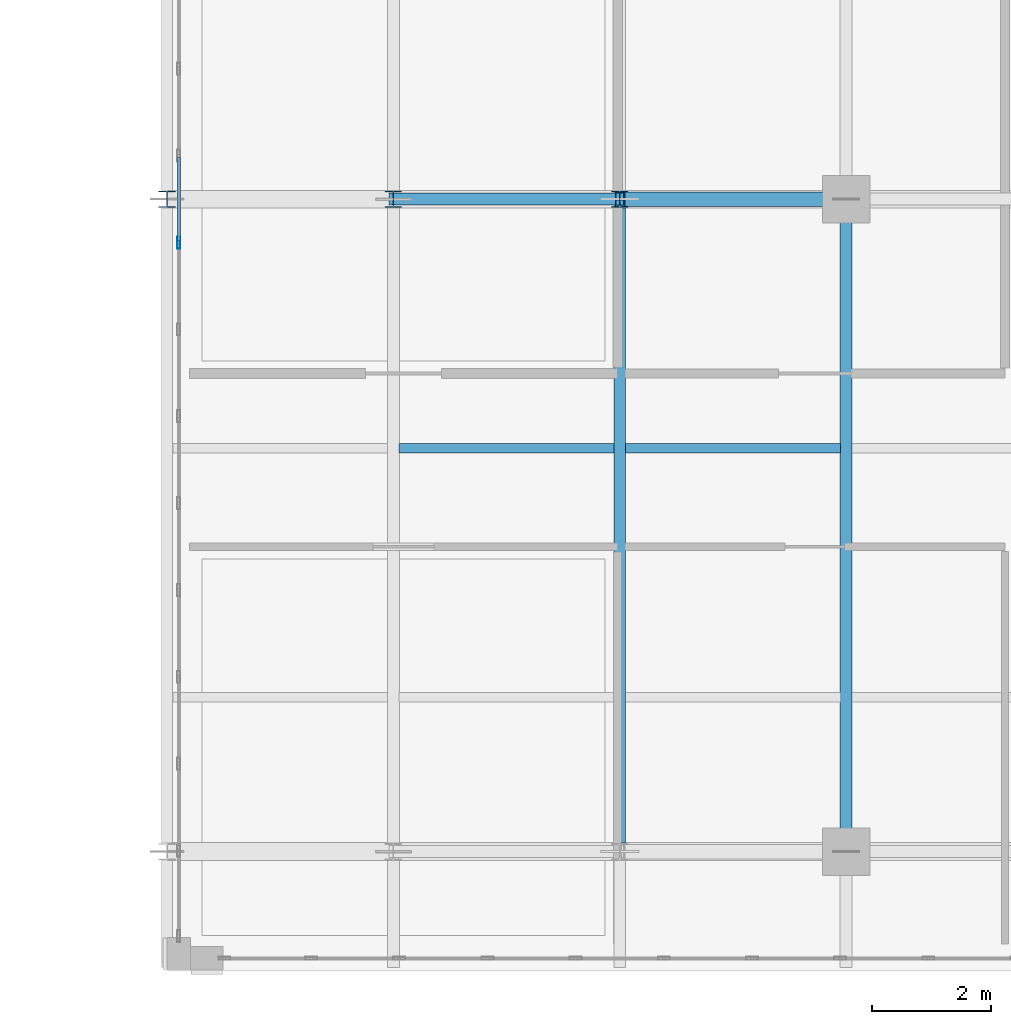
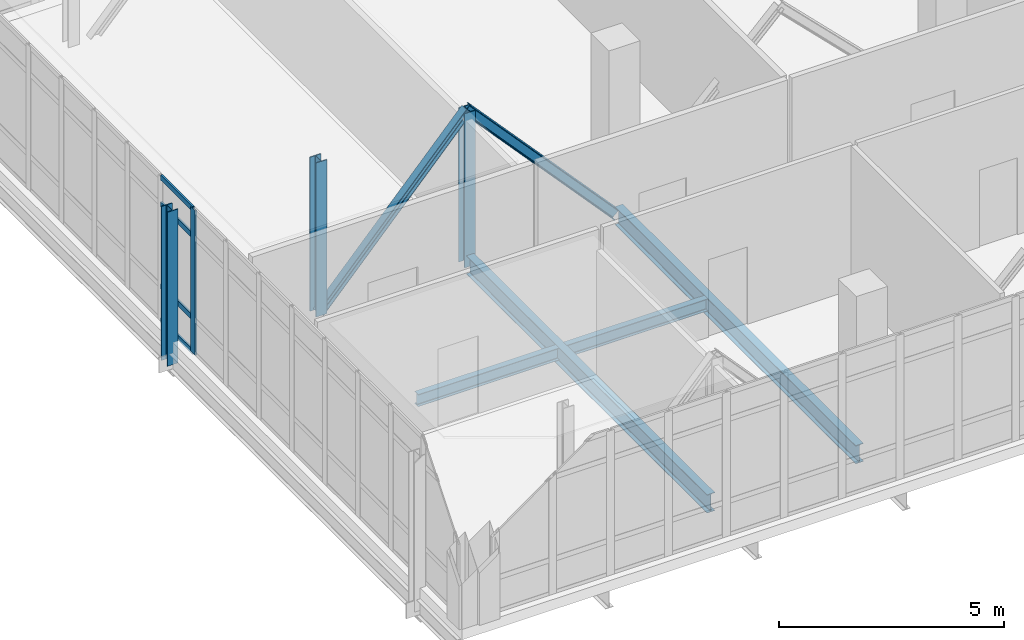
# One storey, part 4 of 158: 10 members, 4 beams, 1 element without a shape of its own.
"""IFC4 building model written with IfcOpenShell, lengths in metres."""

import ifcopenshell
import ifcopenshell.guid

model = None  # the IFC model being written
_history = None  # IfcOwnerHistory: only IFC2X3 demands one
_inside = {}  # id of a spatial element -> (the spatial element, [elements in it])
_under = {}  # id of a project, library or spatial element -> (it, [spatial elements below it])
_declared = {}  # id of a project -> (the project, [libraries it declares])
_typed = {}  # id of a type object -> (the type object, [elements of that type])
_made_of = {}  # id of a material, layer set ... -> (it, [elements and type objects made of it])


def new_model(schema):
    """Start an empty IFC model of exactly this schema.

    Asked for "IFC4X3", IfcOpenShell would pick the latest addendum, in which some entities
    have other attributes; the version numbers below select the first issue.
    IFC2X3 requires an IfcOwnerHistory on every rooted entity: one is made here for all.
    """
    global model, _history
    if schema == "IFC4X3":
        model = ifcopenshell.file(schema_version=(4, 3, 0, 0))
    else:
        model = ifcopenshell.file(schema=schema)
    _inside.clear()
    _under.clear()
    _declared.clear()
    _typed.clear()
    _made_of.clear()
    _history = None
    if model.schema == "IFC2X3":
        org = make("IfcOrganization", Name="unknown")
        user = make(
            "IfcPersonAndOrganization",
            ThePerson=make("IfcPerson", FamilyName="unknown"),
            TheOrganization=org,
        )
        app = make(
            "IfcApplication",
            ApplicationDeveloper=org,
            Version="unknown",
            ApplicationFullName="unknown",
            ApplicationIdentifier="unknown",
        )
        _history = make(
            "IfcOwnerHistory",
            OwningUser=user,
            OwningApplication=app,
            ChangeAction="ADDED",
            CreationDate=0,
        )
    return model


def make(cls, **values):
    """One entity of the class cls with the attributes given. An attribute that is None is left unset."""
    return model.create_entity(
        cls, **{name: value for name, value in values.items() if value is not None}
    )


def rooted(cls, **values):
    """An entity with a GlobalId (a new one), such as an element, a storey or a relation."""
    return make(cls, GlobalId=ifcopenshell.guid.new(), OwnerHistory=_history, **values)


def si_unit(unit_type, name, prefix=None):
    """IfcSIUnit, for example si_unit("LENGTHUNIT", "METRE", prefix="MILLI")."""
    return make("IfcSIUnit", UnitType=unit_type, Prefix=prefix, Name=name)


def assignment(units):
    """IfcUnitAssignment: the units of a project."""
    return None if units is None else make("IfcUnitAssignment", Units=units)


def point(xyz):
    """IfcCartesianPoint."""
    return None if xyz is None else make("IfcCartesianPoint", Coordinates=xyz)


def direction(xyz):
    """IfcDirection."""
    return None if xyz is None else make("IfcDirection", DirectionRatios=xyz)


def frame(location, z_axis=None, x_axis=None):
    """IfcAxis2Placement3D, a coordinate frame: its origin and axes. An axis left out is left unset."""
    return make(
        "IfcAxis2Placement3D",
        Location=point(location),
        Axis=direction(z_axis),
        RefDirection=direction(x_axis),
    )


def frame_2d(location, x_axis=None):
    """IfcAxis2Placement2D, a coordinate frame in the plane: its origin and x axis."""
    return make(
        "IfcAxis2Placement2D", Location=point(location), RefDirection=direction(x_axis)
    )


def origin():
    """The frame at (0, 0, 0) with its axes left unset."""
    return frame((0.0, 0.0, 0.0))


def origin_2d():
    """The frame at (0, 0) in the plane with its x axis left unset."""
    return frame_2d((0.0, 0.0))


def place(relative_to, where):
    """IfcLocalPlacement: puts the frame where relative to a parent placement (None: the world)."""
    return make(
        "IfcLocalPlacement", PlacementRelTo=relative_to, RelativePlacement=where
    )


def context(
    kind, dimensions, precision=None, world=None, true_north=None, identifier=None
):
    """IfcGeometricRepresentationContext, for example the 3D "Model" context."""
    return make(
        "IfcGeometricRepresentationContext",
        ContextIdentifier=identifier,
        ContextType=kind,
        CoordinateSpaceDimension=dimensions,
        Precision=precision,
        WorldCoordinateSystem=world,
        TrueNorth=true_north,
    )


def subcontext(parent, identifier, kind, view, scale=None):
    """IfcGeometricRepresentationSubContext, for example "Body" below "Model"."""
    return make(
        "IfcGeometricRepresentationSubContext",
        ContextIdentifier=identifier,
        ContextType=kind,
        ParentContext=parent,
        TargetScale=scale,
        TargetView=view,
    )


def project(units=None, contexts=None):
    """IfcProject with its units and contexts."""
    return rooted(
        "IfcProject",
        Name="project",
        RepresentationContexts=contexts,
        UnitsInContext=assignment(units),
    )


def spatial(cls, under=None, at=None, **own):
    """A site, building, storey or space (cls), placed at a placement, below another one or the project."""
    s = rooted(cls, ObjectPlacement=at, **own)
    if under is not None:
        _under.setdefault(under.id(), (under, []))[1].append(s)
    return s


def profile(cls, at=None, kind="AREA", **sizes):
    """A parametric profile (cls). Its sizes go by their IFC names, for example OverallWidth=200.0."""
    return make(cls, ProfileType=kind, Position=at, **sizes)


def hollow_rectangle(**sizes):
    """IfcRectangleHollowProfileDef."""
    return profile("IfcRectangleHollowProfileDef", **sizes)


def i_section(**sizes):
    """IfcIShapeProfileDef."""
    return profile("IfcIShapeProfileDef", **sizes)


def extrude(swept, where, along, depth):
    """IfcExtrudedAreaSolid: the profile swept, set in the frame where, extruded along a direction by depth."""
    return make(
        "IfcExtrudedAreaSolid",
        SweptArea=swept,
        Position=where,
        ExtrudedDirection=direction(along),
        Depth=depth,
    )


def shape(context_of_items, identifier, shape_type, items):
    """IfcShapeRepresentation: the items that make up one representation, for example the "Body"."""
    return make(
        "IfcShapeRepresentation",
        ContextOfItems=context_of_items,
        RepresentationIdentifier=identifier,
        RepresentationType=shape_type,
        Items=items,
    )


def material(Name=None, Category=None):
    """IfcMaterial."""
    return make("IfcMaterial", Name=Name, Category=Category)


def layer(
    of_material, thickness, ventilated=None, Name=None, Category=None, Priority=None
):
    """IfcMaterialLayer: one layer of a wall or slab, of a material (None: an air gap)."""
    return make(
        "IfcMaterialLayer",
        Material=of_material,
        LayerThickness=thickness,
        IsVentilated=ventilated,
        Name=Name,
        Category=Category,
        Priority=Priority,
    )


def layer_set(layers, Name=None):
    """IfcMaterialLayerSet."""
    return make("IfcMaterialLayerSet", MaterialLayers=layers, LayerSetName=Name)


def material_profile(
    of_material, cross_section, Name=None, Category=None, Priority=None
):
    """IfcMaterialProfile: a cross section and its material."""
    return make(
        "IfcMaterialProfile",
        Name=Name,
        Material=of_material,
        Profile=cross_section,
        Priority=Priority,
        Category=Category,
    )


def profile_set(profiles, Name=None, composite=None):
    """IfcMaterialProfileSet."""
    return make(
        "IfcMaterialProfileSet",
        Name=Name,
        MaterialProfiles=profiles,
        CompositeProfile=composite,
    )


def made_of(thing, what):
    """Note that an element or type object is made of a material, layer set ...; save() writes the relation."""
    if what is not None:
        _made_of.setdefault(what.id(), (what, []))[1].append(thing)
    return thing


def type_object(cls, material=None, **own):
    """A type object (cls), such as IfcWallType, which elements share."""
    return made_of(rooted(cls, **own), material)


def element(
    cls,
    number,
    at=None,
    inside=None,
    cuts=None,
    type_object=None,
    material=None,
    context=None,
    identifier="Body",
    shape_type=None,
    held_by="IfcProductDefinitionShape",
    body=None,
    shapes=None,
    **own,
):
    """One element of the class cls, such as IfcWall. Its Tag is "e" and its number.

    at: its placement. inside: the storey or other place that contains it. cuts: it is an
    opening in that element (IfcRelVoidsElement). A single representation is given by context,
    identifier, shape_type and body (its items); several are given by shapes. held_by: the class
    of the entity that holds the representations. save() writes the other relations.
    """
    e = rooted(cls, Tag="e%d" % number, ObjectPlacement=at, **own)
    if body is not None:
        shapes = [shape(context, identifier, shape_type, body)]
    if shapes is not None:
        e.Representation = make(held_by, Representations=shapes)
    if inside is not None:
        _inside.setdefault(inside.id(), (inside, []))[1].append(e)
    if cuts is not None:
        rooted(
            "IfcRelVoidsElement", RelatingBuildingElement=cuts, RelatedOpeningElement=e
        )
    if type_object is not None:
        _typed.setdefault(type_object.id(), (type_object, []))[1].append(e)
    return made_of(e, material)


def aggregate(whole, parts):
    """IfcRelAggregates: a whole, such as a stair, and the parts it consists of."""
    return rooted("IfcRelAggregates", RelatingObject=whole, RelatedObjects=parts)


def save(model, path):
    """Write the relations noted so far, then the file.

    IfcRelAggregates (storeys below a building ...), IfcRelContainedInSpatialStructure (elements
    in a storey), IfcRelDefinesByType, IfcRelAssociatesMaterial and IfcRelDeclares: one each for
    every whole, place, type object, material and project.
    """
    for whole, parts in _under.values():
        aggregate(whole, parts)
    for where, things in _inside.values():
        rooted(
            "IfcRelContainedInSpatialStructure",
            RelatedElements=things,
            RelatingStructure=where,
        )
    for kind, things in _typed.values():
        rooted("IfcRelDefinesByType", RelatedObjects=things, RelatingType=kind)
    for what, things in _made_of.values():
        rooted("IfcRelAssociatesMaterial", RelatedObjects=things, RelatingMaterial=what)
    for by, libraries in _declared.values():
        rooted("IfcRelDeclares", RelatingContext=by, RelatedDefinitions=libraries)
    model.write(path)


model = new_model("IFC4")

# Units and contexts
model_context = context("Model", 3, precision=1e-05, world=origin(), true_north=direction((0.0, 1.0)))
body_context = subcontext(model_context, "Body", "Model", "MODEL_VIEW")
ifc_project = project(units=[si_unit("LENGTHUNIT", "METRE"), si_unit("AREAUNIT", "SQUARE_METRE"), si_unit("VOLUMEUNIT", "CUBIC_METRE"), si_unit("PLANEANGLEUNIT", "RADIAN"), si_unit("MASSUNIT", "GRAM", prefix="KILO")], contexts=[model_context])

# Site, building, storey
site_placement = place(None, origin())
site = spatial("IfcSite", under=ifc_project, at=site_placement, CompositionType="ELEMENT")
building_placement = place(site_placement, origin())
building = spatial("IfcBuilding", under=site, at=building_placement, Name="Qalavern Law Courts", CompositionType="ELEMENT")
storey_placement = place(building_placement, frame((0.0, 0.0, 18.60009765625)))
storey = spatial("IfcBuildingStorey", under=building, at=storey_placement, Name="L04", CompositionType="ELEMENT", Elevation=18.60009765625)

# Curtain wall, members
ifc_material_1 = material(Name="Anodised aluminium and insulated glazing", Category="aluminium")
ifc_layer = layer(ifc_material_1, 0.199951171875)
ifc_layer_set = layer_set([ifc_layer], Name="Anodised aluminium and insulated glazing")
curtain_wall_type = type_object("IfcCurtainWallType", Name="ENV-CW-FOYER", PredefinedType="USERDEFINED", material=ifc_layer_set)
curtain_wall_placement = place(storey_placement, origin())
curtain_wall = element("IfcCurtainWall", 1, at=curtain_wall_placement, inside=storey, type_object=curtain_wall_type, Name="V1 unitised curtain wall L04 west 1", ObjectType="UNITISED CURTAIN WALL", PredefinedType="USERDEFINED")
ifc_material_2 = material(Name="Anodised aluminium", Category="aluminium")
ifc_material_profile_1 = material_profile(ifc_material_2, hollow_rectangle(XDim=0.048095703125, YDim=0.199951171875, WallThickness=0.00439453125, at=origin_2d()), Name="ALU MULLION 48x200")
ifc_profile_set_1 = profile_set([ifc_material_profile_1], Name="Anodised aluminium")
member_type_1 = type_object("IfcMemberType", Name="ENV-CWM-48x200", PredefinedType="MULLION", material=ifc_profile_set_1)
member_1_placement = place(storey_placement, frame((5.550048828125, 20.267578125, 0.0), z_axis=(0.0, 0.0, 1.0), x_axis=(1.0, 0.0, 0.0)))
member_1 = element("IfcMember", 2, at=member_1_placement, type_object=member_type_1, Name="CW-01 mullion 10", PredefinedType="MULLION", context=body_context, shape_type="SweptSolid", body=[
    extrude(hollow_rectangle(XDim=0.048095703125, YDim=0.199951171875, WallThickness=0.00439453125, at=origin_2d()), origin(), (0.0, 0.0, 1.0), 3.9248046875),
])
ifc_material_profile_2 = material_profile(ifc_material_2, hollow_rectangle(XDim=0.048095703125, YDim=0.139892578125, WallThickness=0.00390625, at=origin_2d()), Name="ALU TRANSOM 48x140")
ifc_profile_set_2 = profile_set([ifc_material_profile_2], Name="Anodised aluminium")
member_type_2 = type_object("IfcMemberType", Name="ENV-CWT-48x140", PredefinedType="USERDEFINED", material=ifc_profile_set_2)
member_2_placement = place(storey_placement, frame((5.550048828125, 21.708251953125, 0.02392578125), z_axis=(0.0, -1.0, 0.0), x_axis=(1.0, 0.0, 0.0)))
member_2 = element("IfcMember", 3, at=member_2_placement, type_object=member_type_2, Name="CW-01 transom 9.1", ObjectType="TRANSOM", PredefinedType="USERDEFINED", context=body_context, shape_type="SweptSolid", body=[
    extrude(hollow_rectangle(XDim=0.048095703125, YDim=0.139892578125, WallThickness=0.00390625, at=origin_2d()), origin(), (0.0, 0.0, 1.0), 1.41650390625),
])
member_3_placement = place(storey_placement, frame((5.550048828125, 21.708251953125, 0.949951171875), z_axis=(0.0, -1.0, 0.0), x_axis=(1.0, 0.0, 0.0)))
member_3 = element("IfcMember", 4, at=member_3_placement, type_object=member_type_2, Name="CW-01 transom 9.2", ObjectType="TRANSOM", PredefinedType="USERDEFINED", context=body_context, shape_type="SweptSolid", body=[
    extrude(hollow_rectangle(XDim=0.048095703125, YDim=0.139892578125, WallThickness=0.00390625, at=origin_2d()), origin(), (0.0, 0.0, 1.0), 1.41650390625),
])
member_4_placement = place(storey_placement, frame((5.550048828125, 21.708251953125, 3.1748046875), z_axis=(0.0, -1.0, 0.0), x_axis=(1.0, 0.0, 0.0)))
member_4 = element("IfcMember", 5, at=member_4_placement, type_object=member_type_2, Name="CW-01 transom 9.3", ObjectType="TRANSOM", PredefinedType="USERDEFINED", context=body_context, shape_type="SweptSolid", body=[
    extrude(hollow_rectangle(XDim=0.048095703125, YDim=0.139892578125, WallThickness=0.00390625, at=origin_2d()), origin(), (0.0, 0.0, 1.0), 1.41650390625),
])
member_5_placement = place(storey_placement, frame((5.550048828125, 21.708251953125, 3.90087890625), z_axis=(0.0, -1.0, 0.0), x_axis=(1.0, 0.0, 0.0)))
member_5 = element("IfcMember", 6, at=member_5_placement, type_object=member_type_2, Name="CW-01 transom 9.4", ObjectType="TRANSOM", PredefinedType="USERDEFINED", context=body_context, shape_type="SweptSolid", body=[
    extrude(hollow_rectangle(XDim=0.048095703125, YDim=0.139892578125, WallThickness=0.00390625, at=origin_2d()), origin(), (0.0, 0.0, 1.0), 1.41650390625),
])
aggregate(curtain_wall, [member_1, member_2, member_3, member_4, member_5])

# Beams
ifc_material_3 = material(Name="Steel S355", Category="steel")
ifc_material_profile_3 = material_profile(ifc_material_3, i_section(OverallWidth=0.199951171875, OverallDepth=0.5, WebThickness=0.01025390625, FlangeThickness=0.01611328125, FilletRadius=0.02099609375, at=origin_2d()), Name="IPE 500")
ifc_profile_set_3 = profile_set([ifc_material_profile_3], Name="Steel S355")
beam_type_1 = type_object("IfcBeamType", Name="STR-BM-IPE500", PredefinedType="BEAM", material=ifc_profile_set_3)
for number, where, z_axis, x_axis, name in (
    (7, (16.800048828125, 10.14794921875, -0.530029296875), (0.0, 1.0, 0.0), (-1.0, 0.0, 0.0), "Foyer transverse beam L04-5.2"),
    (8, (12.9833984375, 10.14794921875, -0.530029296875), (0.0, 1.0, 0.0), (-1.0, 0.0, 0.0), "Foyer transverse beam L04-6.2"),
):
    element("IfcBeam", number, at=place(storey_placement, frame(where, z_axis=z_axis, x_axis=x_axis)), inside=storey, type_object=beam_type_1, Name=name, PredefinedType="BEAM", context=body_context, shape_type="SweptSolid", body=[
        extrude(i_section(OverallWidth=0.199951171875, OverallDepth=0.5, WebThickness=0.01025390625, FlangeThickness=0.01611328125, FilletRadius=0.02099609375, at=origin_2d()), origin(), (0.0, 0.0, 1.0), 10.7041015625),
    ])

# Members
ifc_material_profile_4 = material_profile(ifc_material_3, i_section(OverallWidth=0.199951171875, OverallDepth=0.199951171875, WebThickness=0.009033203125, FlangeThickness=0.014892578125, FilletRadius=0.01806640625, at=origin_2d()), Name="HEB 200")
ifc_profile_set_4 = profile_set([ifc_material_profile_4], Name="Steel S355")
member_type_3 = type_object("IfcMemberType", Name="STR-BR-HEB200", PredefinedType="BRACE", material=ifc_profile_set_4)
member_6_placement = place(storey_placement, frame((12.9833984375, 21.0, 3.578857421875), z_axis=(-0.673944237707, 0.0, -0.738782217207), x_axis=(0.0, -1.0, 0.0)))
element("IfcMember", 9, at=member_6_placement, inside=storey, type_object=member_type_3, Name="Cantilever truss T2 diagonal L04-6", PredefinedType="BRACE", context=body_context, shape_type="SweptSolid", body=[
    extrude(i_section(OverallWidth=0.199951171875, OverallDepth=0.199951171875, WebThickness=0.009033203125, FlangeThickness=0.014892578125, FilletRadius=0.01806640625, at=origin_2d()), origin(), (0.0, 0.0, 1.0), 5.6630859375),
])
ifc_material_profile_5 = material_profile(ifc_material_3, i_section(OverallWidth=0.239990234375, OverallDepth=0.239990234375, WebThickness=0.010009765625, FlangeThickness=0.01708984375, FilletRadius=0.02099609375, at=origin_2d()), Name="HEB 240")
ifc_profile_set_5 = profile_set([ifc_material_profile_5], Name="Steel S355")
member_type_4 = type_object("IfcMemberType", Name="STR-BR-HEB240", PredefinedType="BRACE", material=ifc_profile_set_5)
member_7_placement = place(storey_placement, frame((16.800048828125, 21.0, -0.60498046875), z_axis=(-0.673944237707, 0.0, 0.738782217207), x_axis=(0.0, -1.0, 0.0)))
element("IfcMember", 10, at=member_7_placement, inside=storey, type_object=member_type_4, Name="Cantilever truss T2 diagonal L04-5", PredefinedType="BRACE", context=body_context, shape_type="SweptSolid", body=[
    extrude(i_section(OverallWidth=0.239990234375, OverallDepth=0.239990234375, WebThickness=0.010009765625, FlangeThickness=0.01708984375, FilletRadius=0.02099609375, at=origin_2d()), origin(), (0.0, 0.0, 1.0), 5.6630859375),
])

# Beams
ifc_material_profile_6 = material_profile(ifc_material_3, i_section(OverallWidth=0.159912109375, OverallDepth=0.330078125, WebThickness=0.007568359375, FlangeThickness=0.011474609375, FilletRadius=0.01806640625, at=origin_2d()), Name="IPE 330")
ifc_profile_set_6 = profile_set([ifc_material_profile_6], Name="Steel S355")
beam_type_2 = type_object("IfcBeamType", Name="STR-JST-IPE330", PredefinedType="JOIST", material=ifc_profile_set_6)
for number, where, z_axis, x_axis, name in (
    (11, (13.081298828125, 16.800048828125, -0.445068359375), (1.0, 0.0, 0.0), (0.0, 1.0, 0.0), "Foyer floor joist L04-5.2"),
    (12, (9.2646484375, 16.800048828125, -0.445068359375), (1.0, 0.0, 0.0), (0.0, 1.0, 0.0), "Foyer floor joist L04-6.2"),
):
    element("IfcBeam", number, at=place(storey_placement, frame(where, z_axis=z_axis, x_axis=x_axis)), inside=storey, type_object=beam_type_2, Name=name, PredefinedType="JOIST", context=body_context, shape_type="SweptSolid", body=[
        extrude(i_section(OverallWidth=0.159912109375, OverallDepth=0.330078125, WebThickness=0.007568359375, FlangeThickness=0.011474609375, FilletRadius=0.01806640625, at=origin_2d()), origin(), (0.0, 0.0, 1.0), 3.62060546875),
    ])

# Members
ifc_material_profile_7 = material_profile(ifc_material_3, i_section(OverallWidth=0.280029296875, OverallDepth=0.280029296875, WebThickness=0.010498046875, FlangeThickness=0.01806640625, FilletRadius=0.02392578125, at=origin_2d()), Name="HEB 280")
ifc_profile_set_7 = profile_set([ifc_material_profile_7], Name="Steel S355")
member_type_5 = type_object("IfcMemberType", Name="STR-POST-HEB280", PredefinedType="POST", material=ifc_profile_set_7)
for number, where, z_axis, x_axis, name in (
    (13, (12.9833984375, 21.0, -0.60498046875), (0.0, 0.0, 1.0), (1.0, 0.0, 0.0), "Cantilever truss T2 post L04-1"),
    (14, (9.166748046875, 21.0, -0.60498046875), (0.0, 0.0, 1.0), (1.0, 0.0, 0.0), "Cantilever truss T2 post L04-2"),
    (15, (5.35009765625, 21.0, -0.60498046875), (0.0, 0.0, 1.0), (1.0, 0.0, 0.0), "Cantilever truss T2 post L04-3"),
):
    element("IfcMember", number, at=place(storey_placement, frame(where, z_axis=z_axis, x_axis=x_axis)), inside=storey, type_object=member_type_5, Name=name, PredefinedType="POST", context=body_context, shape_type="SweptSolid", body=[
        extrude(i_section(OverallWidth=0.280029296875, OverallDepth=0.280029296875, WebThickness=0.010498046875, FlangeThickness=0.01806640625, FilletRadius=0.02392578125, at=origin_2d()), origin(), (0.0, 0.0, 1.0), 4.183837890625),
    ])

save(model, "model.ifc")
